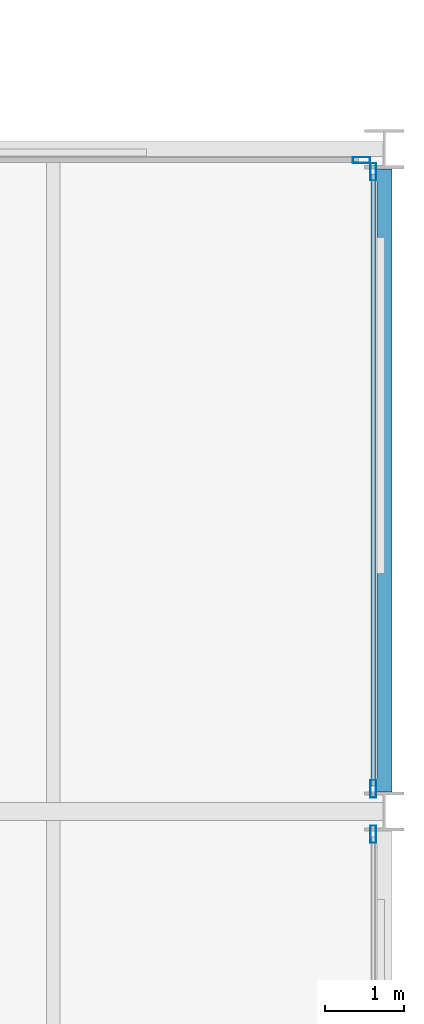
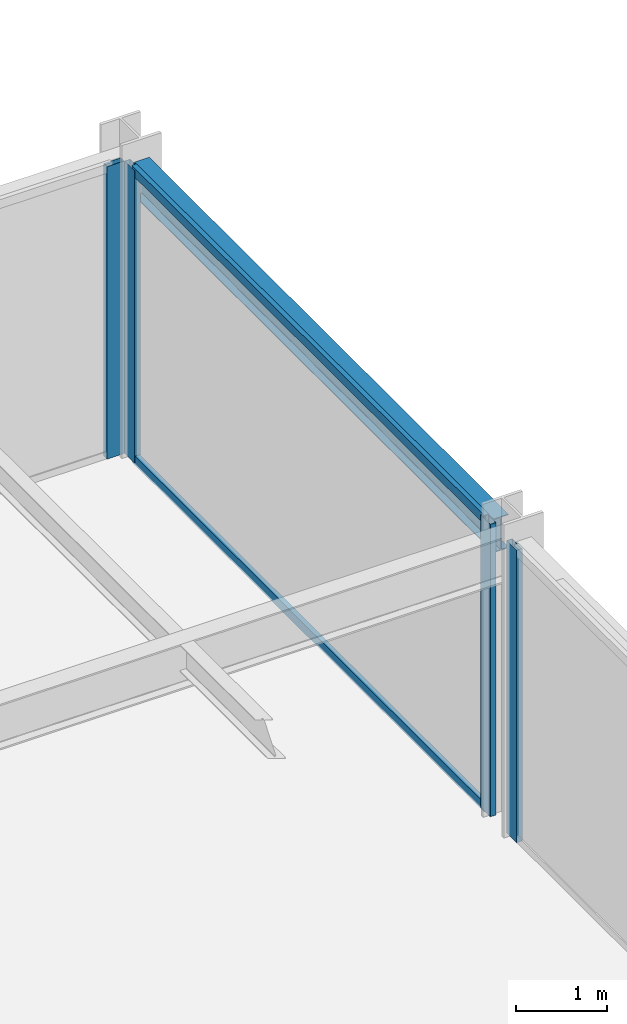
# One storey, part 13 of 24: 6 members, 1 beam, 3 elements without a shape of their own.
"""IFC4 building model written with IfcOpenShell, lengths in metres."""

import ifcopenshell
import ifcopenshell.guid

model = None  # the IFC model being written
_history = None  # IfcOwnerHistory: only IFC2X3 demands one
_inside = {}  # id of a spatial element -> (the spatial element, [elements in it])
_under = {}  # id of a project, library or spatial element -> (it, [spatial elements below it])
_declared = {}  # id of a project -> (the project, [libraries it declares])
_typed = {}  # id of a type object -> (the type object, [elements of that type])
_made_of = {}  # id of a material, layer set ... -> (it, [elements and type objects made of it])


def new_model(schema):
    """Start an empty IFC model of exactly this schema.

    Asked for "IFC4X3", IfcOpenShell would pick the latest addendum, in which some entities
    have other attributes; the version numbers below select the first issue.
    IFC2X3 requires an IfcOwnerHistory on every rooted entity: one is made here for all.
    """
    global model, _history
    if schema == "IFC4X3":
        model = ifcopenshell.file(schema_version=(4, 3, 0, 0))
    else:
        model = ifcopenshell.file(schema=schema)
    _inside.clear()
    _under.clear()
    _declared.clear()
    _typed.clear()
    _made_of.clear()
    _history = None
    if model.schema == "IFC2X3":
        org = make("IfcOrganization", Name="unknown")
        user = make(
            "IfcPersonAndOrganization",
            ThePerson=make("IfcPerson", FamilyName="unknown"),
            TheOrganization=org,
        )
        app = make(
            "IfcApplication",
            ApplicationDeveloper=org,
            Version="unknown",
            ApplicationFullName="unknown",
            ApplicationIdentifier="unknown",
        )
        _history = make(
            "IfcOwnerHistory",
            OwningUser=user,
            OwningApplication=app,
            ChangeAction="ADDED",
            CreationDate=0,
        )
    return model


def make(cls, **values):
    """One entity of the class cls with the attributes given. An attribute that is None is left unset."""
    return model.create_entity(
        cls, **{name: value for name, value in values.items() if value is not None}
    )


def rooted(cls, **values):
    """An entity with a GlobalId (a new one), such as an element, a storey or a relation."""
    return make(cls, GlobalId=ifcopenshell.guid.new(), OwnerHistory=_history, **values)


def si_unit(unit_type, name, prefix=None):
    """IfcSIUnit, for example si_unit("LENGTHUNIT", "METRE", prefix="MILLI")."""
    return make("IfcSIUnit", UnitType=unit_type, Prefix=prefix, Name=name)


def assignment(units):
    """IfcUnitAssignment: the units of a project."""
    return None if units is None else make("IfcUnitAssignment", Units=units)


def point(xyz):
    """IfcCartesianPoint."""
    return None if xyz is None else make("IfcCartesianPoint", Coordinates=xyz)


def direction(xyz):
    """IfcDirection."""
    return None if xyz is None else make("IfcDirection", DirectionRatios=xyz)


def frame(location, z_axis=None, x_axis=None):
    """IfcAxis2Placement3D, a coordinate frame: its origin and axes. An axis left out is left unset."""
    return make(
        "IfcAxis2Placement3D",
        Location=point(location),
        Axis=direction(z_axis),
        RefDirection=direction(x_axis),
    )


def frame_2d(location, x_axis=None):
    """IfcAxis2Placement2D, a coordinate frame in the plane: its origin and x axis."""
    return make(
        "IfcAxis2Placement2D", Location=point(location), RefDirection=direction(x_axis)
    )


def origin():
    """The frame at (0, 0, 0) with its axes left unset."""
    return frame((0.0, 0.0, 0.0))


def origin_2d():
    """The frame at (0, 0) in the plane with its x axis left unset."""
    return frame_2d((0.0, 0.0))


def place(relative_to, where):
    """IfcLocalPlacement: puts the frame where relative to a parent placement (None: the world)."""
    return make(
        "IfcLocalPlacement", PlacementRelTo=relative_to, RelativePlacement=where
    )


def context(
    kind, dimensions, precision=None, world=None, true_north=None, identifier=None
):
    """IfcGeometricRepresentationContext, for example the 3D "Model" context."""
    return make(
        "IfcGeometricRepresentationContext",
        ContextIdentifier=identifier,
        ContextType=kind,
        CoordinateSpaceDimension=dimensions,
        Precision=precision,
        WorldCoordinateSystem=world,
        TrueNorth=true_north,
    )


def subcontext(parent, identifier, kind, view, scale=None):
    """IfcGeometricRepresentationSubContext, for example "Body" below "Model"."""
    return make(
        "IfcGeometricRepresentationSubContext",
        ContextIdentifier=identifier,
        ContextType=kind,
        ParentContext=parent,
        TargetScale=scale,
        TargetView=view,
    )


def project(units=None, contexts=None):
    """IfcProject with its units and contexts."""
    return rooted(
        "IfcProject",
        Name="project",
        RepresentationContexts=contexts,
        UnitsInContext=assignment(units),
    )


def spatial(cls, under=None, at=None, **own):
    """A site, building, storey or space (cls), placed at a placement, below another one or the project."""
    s = rooted(cls, ObjectPlacement=at, **own)
    if under is not None:
        _under.setdefault(under.id(), (under, []))[1].append(s)
    return s


def profile(cls, at=None, kind="AREA", **sizes):
    """A parametric profile (cls). Its sizes go by their IFC names, for example OverallWidth=200.0."""
    return make(cls, ProfileType=kind, Position=at, **sizes)


def hollow_rectangle(**sizes):
    """IfcRectangleHollowProfileDef."""
    return profile("IfcRectangleHollowProfileDef", **sizes)


def i_section(**sizes):
    """IfcIShapeProfileDef."""
    return profile("IfcIShapeProfileDef", **sizes)


def extrude(swept, where, along, depth):
    """IfcExtrudedAreaSolid: the profile swept, set in the frame where, extruded along a direction by depth."""
    return make(
        "IfcExtrudedAreaSolid",
        SweptArea=swept,
        Position=where,
        ExtrudedDirection=direction(along),
        Depth=depth,
    )


def shape(context_of_items, identifier, shape_type, items):
    """IfcShapeRepresentation: the items that make up one representation, for example the "Body"."""
    return make(
        "IfcShapeRepresentation",
        ContextOfItems=context_of_items,
        RepresentationIdentifier=identifier,
        RepresentationType=shape_type,
        Items=items,
    )


def material(Name=None, Category=None):
    """IfcMaterial."""
    return make("IfcMaterial", Name=Name, Category=Category)


def layer(
    of_material, thickness, ventilated=None, Name=None, Category=None, Priority=None
):
    """IfcMaterialLayer: one layer of a wall or slab, of a material (None: an air gap)."""
    return make(
        "IfcMaterialLayer",
        Material=of_material,
        LayerThickness=thickness,
        IsVentilated=ventilated,
        Name=Name,
        Category=Category,
        Priority=Priority,
    )


def layer_set(layers, Name=None):
    """IfcMaterialLayerSet."""
    return make("IfcMaterialLayerSet", MaterialLayers=layers, LayerSetName=Name)


def material_profile(
    of_material, cross_section, Name=None, Category=None, Priority=None
):
    """IfcMaterialProfile: a cross section and its material."""
    return make(
        "IfcMaterialProfile",
        Name=Name,
        Material=of_material,
        Profile=cross_section,
        Priority=Priority,
        Category=Category,
    )


def profile_set(profiles, Name=None, composite=None):
    """IfcMaterialProfileSet."""
    return make(
        "IfcMaterialProfileSet",
        Name=Name,
        MaterialProfiles=profiles,
        CompositeProfile=composite,
    )


def made_of(thing, what):
    """Note that an element or type object is made of a material, layer set ...; save() writes the relation."""
    if what is not None:
        _made_of.setdefault(what.id(), (what, []))[1].append(thing)
    return thing


def type_object(cls, material=None, **own):
    """A type object (cls), such as IfcWallType, which elements share."""
    return made_of(rooted(cls, **own), material)


def element(
    cls,
    number,
    at=None,
    inside=None,
    cuts=None,
    type_object=None,
    material=None,
    context=None,
    identifier="Body",
    shape_type=None,
    held_by="IfcProductDefinitionShape",
    body=None,
    shapes=None,
    **own,
):
    """One element of the class cls, such as IfcWall. Its Tag is "e" and its number.

    at: its placement. inside: the storey or other place that contains it. cuts: it is an
    opening in that element (IfcRelVoidsElement). A single representation is given by context,
    identifier, shape_type and body (its items); several are given by shapes. held_by: the class
    of the entity that holds the representations. save() writes the other relations.
    """
    e = rooted(cls, Tag="e%d" % number, ObjectPlacement=at, **own)
    if body is not None:
        shapes = [shape(context, identifier, shape_type, body)]
    if shapes is not None:
        e.Representation = make(held_by, Representations=shapes)
    if inside is not None:
        _inside.setdefault(inside.id(), (inside, []))[1].append(e)
    if cuts is not None:
        rooted(
            "IfcRelVoidsElement", RelatingBuildingElement=cuts, RelatedOpeningElement=e
        )
    if type_object is not None:
        _typed.setdefault(type_object.id(), (type_object, []))[1].append(e)
    return made_of(e, material)


def aggregate(whole, parts):
    """IfcRelAggregates: a whole, such as a stair, and the parts it consists of."""
    return rooted("IfcRelAggregates", RelatingObject=whole, RelatedObjects=parts)


def save(model, path):
    """Write the relations noted so far, then the file.

    IfcRelAggregates (storeys below a building ...), IfcRelContainedInSpatialStructure (elements
    in a storey), IfcRelDefinesByType, IfcRelAssociatesMaterial and IfcRelDeclares: one each for
    every whole, place, type object, material and project.
    """
    for whole, parts in _under.values():
        aggregate(whole, parts)
    for where, things in _inside.values():
        rooted(
            "IfcRelContainedInSpatialStructure",
            RelatedElements=things,
            RelatingStructure=where,
        )
    for kind, things in _typed.values():
        rooted("IfcRelDefinesByType", RelatedObjects=things, RelatingType=kind)
    for what, things in _made_of.values():
        rooted("IfcRelAssociatesMaterial", RelatedObjects=things, RelatingMaterial=what)
    for by, libraries in _declared.values():
        rooted("IfcRelDeclares", RelatingContext=by, RelatedDefinitions=libraries)
    model.write(path)


model = new_model("IFC4")

# Units and contexts
model_context = context("Model", 3, precision=1e-05, world=origin(), true_north=direction((0.0, 1.0)))
body_context = subcontext(model_context, "Body", "Model", "MODEL_VIEW")
ifc_project = project(units=[si_unit("LENGTHUNIT", "METRE"), si_unit("AREAUNIT", "SQUARE_METRE"), si_unit("VOLUMEUNIT", "CUBIC_METRE"), si_unit("PLANEANGLEUNIT", "RADIAN"), si_unit("MASSUNIT", "GRAM", prefix="KILO")], contexts=[model_context])

# Site, building, storey
site_placement = place(None, origin())
site = spatial("IfcSite", under=ifc_project, at=site_placement, CompositionType="ELEMENT")
building_placement = place(site_placement, origin())
building = spatial("IfcBuilding", under=site, at=building_placement, Name="Nerrivon Quay Data Exchange", CompositionType="ELEMENT")
storey_placement = place(building_placement, frame((0.0, 0.0, 37.39990234375)))
storey = spatial("IfcBuildingStorey", under=building, at=storey_placement, Name="L08", CompositionType="ELEMENT", Elevation=37.39990234375)

# Beam
ifc_material_1 = material(Name="Steel Grade 350", Category="steel")
ifc_material_profile_1 = material_profile(ifc_material_1, i_section(OverallWidth=0.18994140625, OverallDepth=0.4541015625, WebThickness=0.008544921875, FlangeThickness=0.0126953125, FilletRadius=0.011474609375, at=origin_2d()), Name="460UB67.1")
ifc_profile_set_1 = profile_set([ifc_material_profile_1], Name="Steel Grade 350")
beam_type = type_object("IfcBeamType", Name="BM-SP1-460UB67", PredefinedType="SPANDREL", material=ifc_profile_set_1)
beam_placement = place(storey_placement, frame((50.39990234375, 17.050048828125, 3.697998046875), z_axis=(0.0, 1.0, 0.0), x_axis=(-1.0, 0.0, 0.0)))
element("IfcBeam", 1, at=beam_placement, inside=storey, type_object=beam_type, Name="L08 NS Girder X=50.4 (16.8..25.2)", PredefinedType="SPANDREL", context=body_context, shape_type="SweptSolid", body=[
    extrude(i_section(OverallWidth=0.18994140625, OverallDepth=0.4541015625, WebThickness=0.008544921875, FlangeThickness=0.0126953125, FilletRadius=0.011474609375, at=origin_2d()), origin(), (0.0, 0.0, 1.0), 7.89990234375),
])

# Curtain wall, member
ifc_material_2 = material(Name="Anodised aluminium 6063-T6", Category="aluminium")
ifc_layer = layer(ifc_material_2, 0.219970703125)
ifc_layer_set = layer_set([ifc_layer], Name="Anodised aluminium 6063-T6")
curtain_wall_type = type_object("IfcCurtainWallType", Name="CW-SYS-01", PredefinedType="NOTDEFINED", material=ifc_layer_set)
curtain_wall_1_placement = place(storey_placement, origin())
curtain_wall_1 = element("IfcCurtainWall", 2, at=curtain_wall_1_placement, inside=storey, type_object=curtain_wall_type, Name="L08 Unitised Curtain Wall 30", PredefinedType="NOTDEFINED")
ifc_material_profile_2 = material_profile(ifc_material_2, hollow_rectangle(XDim=0.074951171875, YDim=0.219970703125, WallThickness=0.00390625, at=origin_2d()), Name="ALU-MULL-220x75")
ifc_profile_set_2 = profile_set([ifc_material_profile_2], Name="Anodised aluminium 6063-T6")
member_type_1 = type_object("IfcMemberType", Name="CWM-220x75", PredefinedType="MULLION", material=ifc_profile_set_2)
member_1_placement = place(storey_placement, frame((50.112548828125, 25.06005859375, 0.0), z_axis=(0.0, 0.0, 1.0), x_axis=(0.0, 1.0, 0.0)))
member_1 = element("IfcMember", 3, at=member_1_placement, type_object=member_type_1, Name="CW01 mullion 2", PredefinedType="MULLION", context=body_context, shape_type="SweptSolid", body=[
    extrude(hollow_rectangle(XDim=0.074951171875, YDim=0.219970703125, WallThickness=0.00390625, at=origin_2d()), origin(), (0.0, 0.0, 1.0), 3.925048828125),
])
aggregate(curtain_wall_1, [member_1])

# Curtain wall, members
curtain_wall_2_placement = place(storey_placement, origin())
curtain_wall_2 = element("IfcCurtainWall", 4, at=curtain_wall_2_placement, inside=storey, type_object=curtain_wall_type, Name="L08 Unitised Curtain Wall 31", PredefinedType="NOTDEFINED")
member_2_placement = place(storey_placement, frame((50.260009765625, 24.91259765625, 0.0), z_axis=(0.0, 0.0, 1.0), x_axis=(1.0, 0.0, 0.0)))
member_2 = element("IfcMember", 5, at=member_2_placement, type_object=member_type_1, Name="CW01 mullion 1", PredefinedType="MULLION", context=body_context, shape_type="SweptSolid", body=[
    extrude(hollow_rectangle(XDim=0.074951171875, YDim=0.219970703125, WallThickness=0.00390625, at=origin_2d()), origin(), (0.0, 0.0, 1.0), 3.925048828125),
])
member_3_placement = place(storey_placement, frame((50.260009765625, 17.08740234375, 0.0), z_axis=(0.0, 0.0, 1.0), x_axis=(1.0, 0.0, 0.0)))
member_3 = element("IfcMember", 6, at=member_3_placement, type_object=member_type_1, Name="CW01 mullion 2", PredefinedType="MULLION", context=body_context, shape_type="SweptSolid", body=[
    extrude(hollow_rectangle(XDim=0.074951171875, YDim=0.219970703125, WallThickness=0.00390625, at=origin_2d()), origin(), (0.0, 0.0, 1.0), 3.925048828125),
])

# Curtain wall, member
curtain_wall_3_placement = place(storey_placement, origin())
curtain_wall_3 = element("IfcCurtainWall", 7, at=curtain_wall_3_placement, inside=storey, type_object=curtain_wall_type, Name="L08 Unitised Curtain Wall 32", PredefinedType="NOTDEFINED")
member_4_placement = place(storey_placement, frame((50.260009765625, 16.512451171875, 0.0), z_axis=(0.0, 0.0, 1.0), x_axis=(1.0, 0.0, 0.0)))
member_4 = element("IfcMember", 8, at=member_4_placement, type_object=member_type_1, Name="CW01 mullion 1", PredefinedType="MULLION", context=body_context, shape_type="SweptSolid", body=[
    extrude(hollow_rectangle(XDim=0.074951171875, YDim=0.219970703125, WallThickness=0.00390625, at=origin_2d()), origin(), (0.0, 0.0, 1.0), 3.925048828125),
])
aggregate(curtain_wall_3, [member_4])

# Member
ifc_material_profile_3 = material_profile(ifc_material_2, hollow_rectangle(XDim=0.06005859375, YDim=0.1201171875, WallThickness=0.003173828125, at=origin_2d()), Name="ALU-TRAN-120x60")
ifc_profile_set_3 = profile_set([ifc_material_profile_3], Name="Anodised aluminium 6063-T6")
member_type_2 = type_object("IfcMemberType", Name="CWT-120x60", PredefinedType="USERDEFINED", material=ifc_profile_set_3)
member_5_placement = place(storey_placement, frame((50.260009765625, 24.875, 0.03271484375), z_axis=(0.0, -1.0, 0.0), x_axis=(1.0, 0.0, 0.0)))
member_5 = element("IfcMember", 9, at=member_5_placement, type_object=member_type_2, Name="CW01 transom 1.1", ObjectType="TRANSOM", PredefinedType="USERDEFINED", context=body_context, shape_type="SweptSolid", body=[
    extrude(hollow_rectangle(XDim=0.06005859375, YDim=0.1201171875, WallThickness=0.003173828125, at=origin_2d()), origin(), (0.0, 0.0, 1.0), 7.75),
])

member_6_placement = place(storey_placement, frame((50.260009765625, 24.875, 3.892578125), z_axis=(0.0, -1.0, 0.0), x_axis=(1.0, 0.0, 0.0)))
member_6 = element("IfcMember", 10, at=member_6_placement, type_object=member_type_2, Name="CW01 transom 1.2", ObjectType="TRANSOM", PredefinedType="USERDEFINED", context=body_context, shape_type="SweptSolid", body=[
    extrude(hollow_rectangle(XDim=0.06005859375, YDim=0.1201171875, WallThickness=0.003173828125, at=origin_2d()), origin(), (0.0, 0.0, 1.0), 7.75),
])

aggregate(curtain_wall_2, [member_2, member_3, member_5, member_6])

save(model, "model.ifc")
